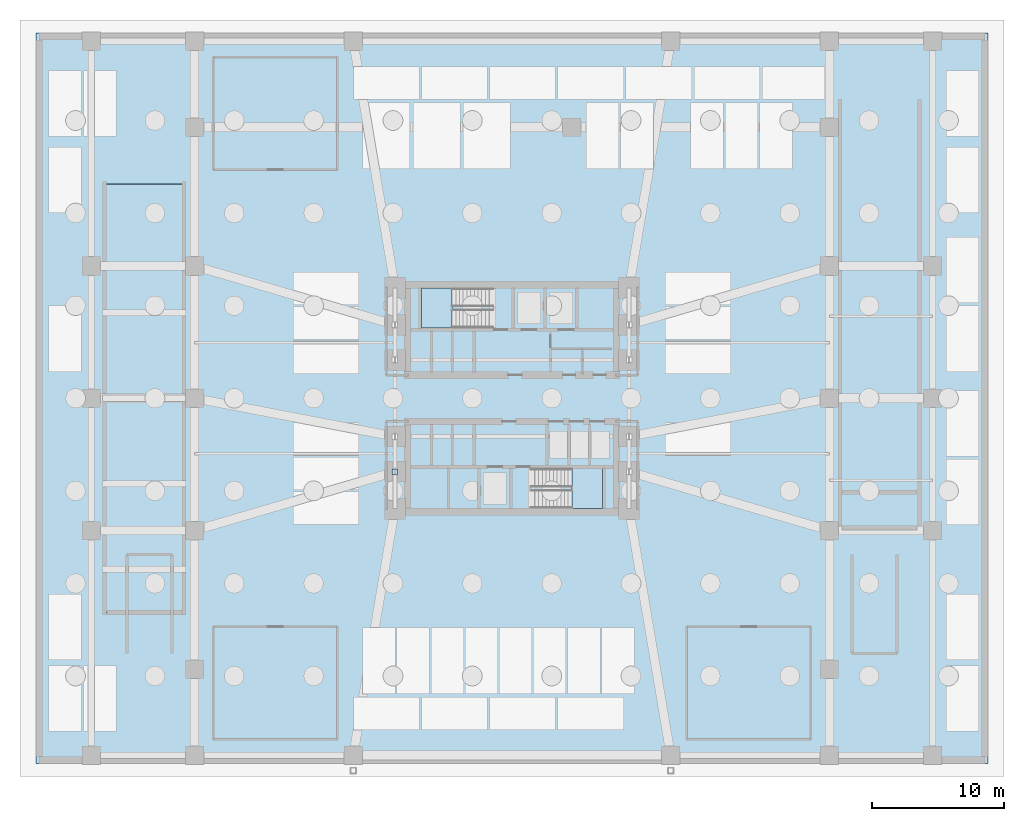
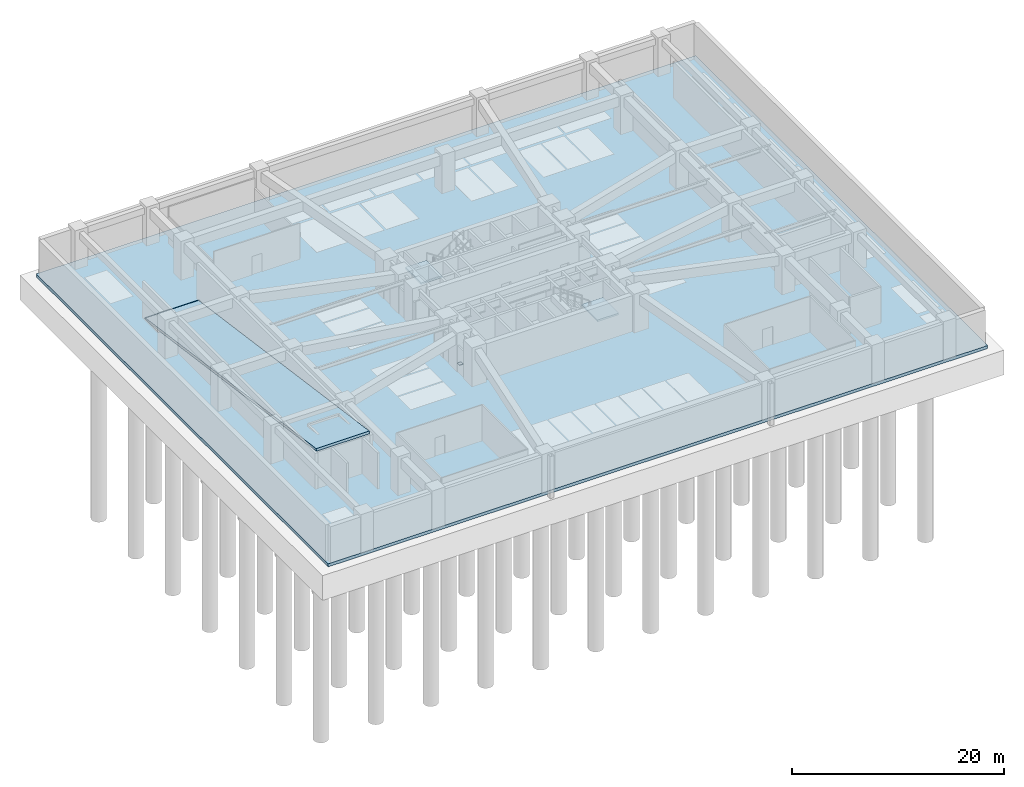
# One storey, part 4 of 14: 4 slabs, 1 plate, 2 elements without a shape of their own.
"""IFC4 building model written with IfcOpenShell, lengths in metres."""

from ifc_helpers import new_model, si_unit, direction, frame, origin, origin_2d, place, context, subcontext, project, spatial, polyline, rectangle, outline, extrude, material, layer, layer_set, type_object, element, aggregate, save


model = new_model("IFC4")

# Units and contexts
model_context = context("Model", 3, precision=1e-05, world=origin(), true_north=direction((0.0, 1.0)))
body_context = subcontext(model_context, "Body", "Model", "MODEL_VIEW")
ifc_project = project(units=[si_unit("LENGTHUNIT", "METRE"), si_unit("AREAUNIT", "SQUARE_METRE"), si_unit("VOLUMEUNIT", "CUBIC_METRE"), si_unit("PLANEANGLEUNIT", "RADIAN"), si_unit("MASSUNIT", "GRAM", prefix="KILO")], contexts=[model_context])

# Site, building, storey
site_placement = place(None, origin())
site = spatial("IfcSite", under=ifc_project, at=site_placement, CompositionType="ELEMENT")
building_placement = place(site_placement, origin())
building = spatial("IfcBuilding", under=site, at=building_placement, Name="Solmarez Civic Tower", CompositionType="ELEMENT")
storey_placement = place(building_placement, frame((0.0, 0.0, -9.0)))
storey = spatial("IfcBuildingStorey", under=building, at=storey_placement, Name="B2", CompositionType="ELEMENT", Elevation=-9.0)

# Plate
ifc_material_1 = material(Name="Steel S355", Category="steel")
ifc_layer_1 = layer(ifc_material_1, 0.02392578125)
ifc_layer_set_1 = layer_set([ifc_layer_1], Name="Steel S355")
plate_type = type_object("IfcPlateType", Name="PLT-CAP-380", PredefinedType="USERDEFINED", material=ifc_layer_set_1)
plate_placement = place(storey_placement, frame((-8.85009765625, -5.550048828125, 0.238037109375), z_axis=(0.0, 0.0, 1.0), x_axis=(1.0, 0.0, 0.0)))
element("IfcPlate", 1, at=plate_placement, inside=storey, type_object=plate_type, Name="Steel Member End Cap Plate CAP-BRC-B2-CORE-1-0", ObjectType="CAP_PLATE", PredefinedType="USERDEFINED", context=body_context, shape_type="SweptSolid", body=[
    extrude(rectangle(XDim=0.419921875, YDim=0.419921875, at=origin_2d()), origin(), (0.0, 0.0, 1.0), 0.02392578125),
])

# Slab
ifc_material_2 = material(Name="Concrete C50/60", Category="concrete")
ifc_layer_2 = layer(ifc_material_2, 0.35009765625)
ifc_layer_set_2 = layer_set([ifc_layer_2], Name="Concrete C50/60")
slab_type_1 = type_object("IfcSlabType", Name="SLAB-BASE-350", PredefinedType="BASESLAB", material=ifc_layer_set_2)
slab_1_placement = place(storey_placement, frame((0.0, 0.0, -0.35009765625)))
element("IfcSlab", 2, at=slab_1_placement, inside=storey, type_object=slab_type_1, Name="B2 Structural Slab", PredefinedType="BASESLAB", context=body_context, shape_type="SweptSolid", body=[
    extrude(outline(polyline([(36.0, -27.60009765625), (36.0, 27.60009765625), (-36.0, 27.60009765625), (-36.0, -27.60009765625), (36.0, -27.60009765625)]), holes=[polyline([(-30.800048828125, 13.5), (-24.800048828125, 13.5), (-24.800048828125, 16.199951171875), (-30.800048828125, 16.199951171875), (-30.800048828125, 13.5)])]), origin(), (0.0, 0.0, 1.0), 0.35009765625),
])

# Stair, slab
stair_type = type_object("IfcStairType", Name="STAIR-DOGLEG-140W-24R-1875", PredefinedType="HALF_TURN_STAIR", material=ifc_material_2)
stair_1_placement = place(storey_placement, origin())
stair_1 = element("IfcStair", 3, at=stair_1_placement, inside=storey, type_object=stair_type, Name="B2 North Core Protected Exit Stair ST-1", PredefinedType="HALF_TURN_STAIR")
ifc_layer_3 = layer(ifc_material_2, 0.199951171875)
ifc_layer_set_3 = layer_set([ifc_layer_3], Name="Concrete C50/60")
slab_type_2 = type_object("IfcSlabType", Name="SLAB-LANDING-200", PredefinedType="LANDING", material=ifc_layer_set_3)
slab_2_placement = place(storey_placement, frame((0.0, 0.0, 2.050048828125)))
slab_2 = element("IfcSlab", 4, at=slab_2_placement, type_object=slab_type_2, Name="ST-1 landing 1", PredefinedType="LANDING", context=body_context, shape_type="SweptSolid", body=[
    extrude(outline(polyline([(-4.530029296875, 8.320068359375), (-6.85009765625, 8.320068359375), (-6.85009765625, 5.320068359375), (-4.530029296875, 5.320068359375), (-4.530029296875, 8.320068359375)])), origin(), (0.0, 0.0, 1.0), 0.199951171875),
])
aggregate(stair_1, [slab_2])

stair_2_placement = place(storey_placement, origin())
stair_2 = element("IfcStair", 5, at=stair_2_placement, inside=storey, type_object=stair_type, Name="B2 South Core Protected Exit Stair ST-2", PredefinedType="HALF_TURN_STAIR")
slab_3_placement = place(storey_placement, frame((0.0, 0.0, 2.050048828125)))
slab_3 = element("IfcSlab", 6, at=slab_3_placement, type_object=slab_type_2, Name="ST-2 landing 1", PredefinedType="LANDING", context=body_context, shape_type="SweptSolid", body=[
    extrude(outline(polyline([(4.530029296875, -8.320068359375), (6.85009765625, -8.320068359375), (6.85009765625, -5.320068359375), (4.530029296875, -5.320068359375), (4.530029296875, -8.320068359375)])), origin(), (0.0, 0.0, 1.0), 0.199951171875),
])
aggregate(stair_2, [slab_3])

# Slab
ifc_layer_4 = layer(ifc_material_2, 0.284912109375)
ifc_layer_set_4 = layer_set([ifc_layer_4], Name="Concrete C50/60")
slab_type_3 = type_object("IfcSlabType", Name="SLAB-RAMP-280", PredefinedType="FLOOR", material=ifc_layer_set_4)
slab_4_placement = place(storey_placement, frame((-30.699951171875, 16.14990234375, 0.0), z_axis=(0.0, 0.137987000945, 0.99043403999), x_axis=(1.0, 0.0, 0.0)))
element("IfcSlab", 7, at=slab_4_placement, inside=storey, type_object=slab_type_3, Name="B2 Basement Structural Sloped Vehicle Ramp Slab VR2", PredefinedType="FLOOR", context=body_context, shape_type="SweptSolid", body=[
    extrude(outline(polyline([(0.0, 0.0), (5.800048828125, 0.0), (5.800048828125, -32.61176755176951), (0.0, -32.61176755176951), (0.0, 0.0)])), origin(), (0.0, 0.0, -1.0), 0.284912109375),
])

save(model, "model.ifc")
